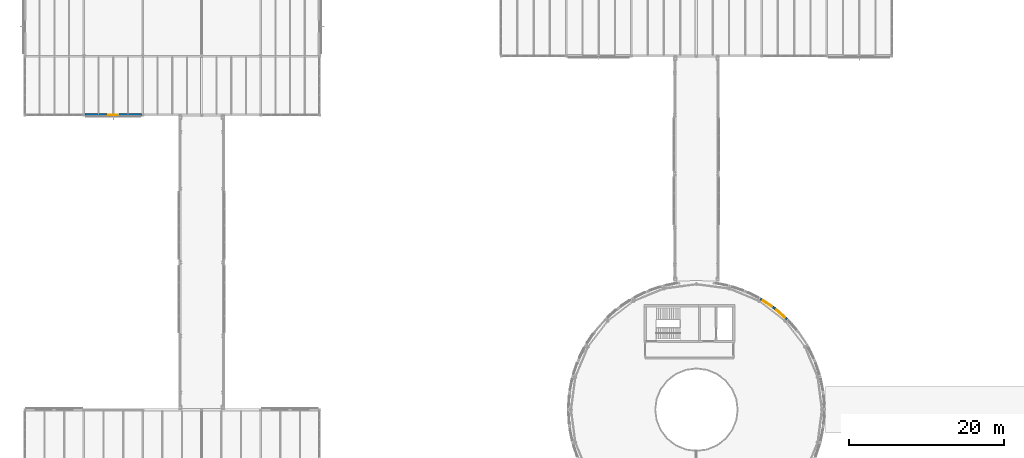
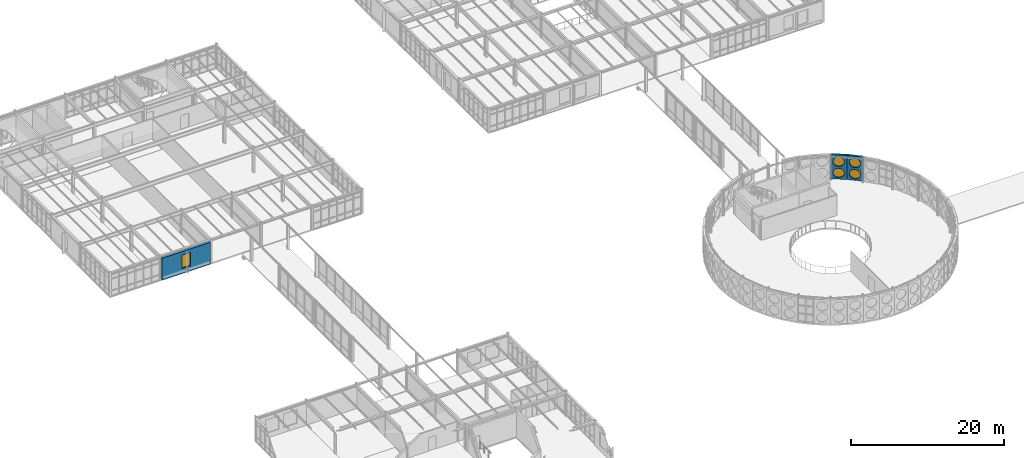
# One storey, part 162 of 189: 5 windows, 3 walls, 5 openings.
"""IFC4 building model written with IfcOpenShell, lengths in metres."""

from ifc_helpers import new_model, si_unit, direction, frame, frame_2d, origin, place, context, subcontext, project, spatial, rectangle, circle, extrude, material, layer, layer_set, type_object, element, fill, save


model = new_model("IFC4")

# Units and contexts
model_context = context("Model", 3, precision=1e-05, world=origin(), true_north=direction((0.0, 1.0)))
body_context = subcontext(model_context, "Body", "Model", "MODEL_VIEW")
ifc_project = project(units=[si_unit("LENGTHUNIT", "METRE"), si_unit("AREAUNIT", "SQUARE_METRE"), si_unit("VOLUMEUNIT", "CUBIC_METRE"), si_unit("PLANEANGLEUNIT", "RADIAN"), si_unit("MASSUNIT", "GRAM", prefix="KILO")], contexts=[model_context])

# Site, building, storey
site_placement = place(None, origin())
site = spatial("IfcSite", under=ifc_project, at=site_placement, CompositionType="ELEMENT")
building_placement = place(site_placement, origin())
building = spatial("IfcBuilding", under=site, at=building_placement, Name="Montecoro Central Library", CompositionType="ELEMENT")
storey_placement = place(building_placement, frame((0.0, 0.0, 9.179931640625)))
storey = spatial("IfcBuildingStorey", under=building, at=storey_placement, Name="L02", CompositionType="ELEMENT", Elevation=9.179931640625)

# Wall, openings, windows
ifc_material_1 = material(Name="Travertine Roman Stone and concrete C35/45", Category="masonry")
ifc_layer_1 = layer(ifc_material_1, 0.294921875)
ifc_layer_set_1 = layer_set([ifc_layer_1], Name="Travertine Roman Stone and concrete C35/45")
wall_type_1 = type_object("IfcWallType", Name="EW-DRM-295", PredefinedType="SOLIDWALL", material=ifc_layer_set_1)
wall_1_placement = place(storey_placement, frame((103.27490234375, 47.0859375, 0.0), z_axis=(0.0, 0.0, 1.0), x_axis=(-0.751489776362, 0.659744735503, 0.0)))
wall_1 = element("IfcWall", 1, at=wall_1_placement, inside=storey, type_object=wall_type_1, Name="V1-L02-EW-07", PredefinedType="SOLIDWALL", context=body_context, shape_type="SweptSolid", body=[
    extrude(rectangle(XDim=2.144775390625, YDim=0.294921875, at=frame_2d((1.072265625, 0.0))), origin(), (0.0, 0.0, 1.0), 3.85498046875),
])
opening_1_placement = place(wall_1_placement, frame((0.33203125, 0.0, 0.25)))
opening_1 = element("IfcOpeningElement", 2, at=opening_1_placement, cuts=wall_1, Name="Opening WP-04", PredefinedType="OPENING", context=body_context, shape_type="SweptSolid", body=[
    extrude(circle(Radius=0.739990234375, at=frame_2d((0.739990234375, 0.739990234375))), frame((0.0, 0.157470703125, 0.0), z_axis=(0.0, -1.0, 0.0), x_axis=(1.0, 0.0, 0.0)), (0.0, 0.0, 1.0), 0.31494140625),
])
opening_2_placement = place(wall_1_placement, frame((0.33203125, 0.0, 2.030029296875)))
opening_2 = element("IfcOpeningElement", 3, at=opening_2_placement, cuts=wall_1, Name="Opening WP-03", PredefinedType="OPENING", context=body_context, shape_type="SweptSolid", body=[
    extrude(circle(Radius=0.739990234375, at=frame_2d((0.739990234375, 0.739990234375))), frame((0.0, 0.157470703125, 0.0), z_axis=(0.0, -1.0, 0.0), x_axis=(1.0, 0.0, 0.0)), (0.0, 0.0, 1.0), 0.31494140625),
])
ifc_material_2 = material(Name="Clear sky-blue low-E laminated glazing", Category="glass")
window_type_1 = type_object("IfcWindowType", Name="WN-POR-CLR-148", PartitioningType="SINGLE_PANEL", PredefinedType="WINDOW", material=ifc_material_2)
window_1_placement = place(opening_2_placement, origin())
window_1 = element("IfcWindow", 4, at=window_1_placement, inside=storey, type_object=window_type_1, Name="V1-L02-WP-07-2", OverallHeight=1.47998046875, OverallWidth=1.47998046875, PartitioningType="SINGLE_PANEL", PredefinedType="WINDOW", context=body_context, shape_type="SweptSolid", body=[
    extrude(circle(Radius=0.739990234375, at=frame_2d((0.739990234375, 0.739990234375))), frame((0.0, 0.030029296875, 0.0), z_axis=(0.0, -1.0, 0.0), x_axis=(1.0, 0.0, 0.0)), (0.0, 0.0, 1.0), 0.06005859375),
])
fill(opening_2, window_1)
ifc_material_3 = material(Name="Frosted pearl-white ceramic-fritted glazing", Category="glass")
window_type_2 = type_object("IfcWindowType", Name="WN-POR-FRT-148", PartitioningType="SINGLE_PANEL", PredefinedType="WINDOW", material=ifc_material_3)
window_2_placement = place(opening_1_placement, origin())
window_2 = element("IfcWindow", 5, at=window_2_placement, inside=storey, type_object=window_type_2, Name="V1-L02-WP-07-1", OverallHeight=1.47998046875, OverallWidth=1.47998046875, PartitioningType="SINGLE_PANEL", PredefinedType="WINDOW", context=body_context, shape_type="SweptSolid", body=[
    extrude(circle(Radius=0.739990234375, at=frame_2d((0.739990234375, 0.739990234375))), frame((0.0, 0.030029296875, 0.0), z_axis=(0.0, -1.0, 0.0), x_axis=(1.0, 0.0, 0.0)), (0.0, 0.0, 1.0), 0.06005859375),
])
fill(opening_1, window_2)

wall_2_placement = place(storey_placement, frame((101.64990234375, 48.510009765625, 0.0), z_axis=(0.0, 0.0, 1.0), x_axis=(-0.831138710759, 0.556065143197, 0.0)))
wall_2 = element("IfcWall", 6, at=wall_2_placement, inside=storey, type_object=wall_type_1, Name="V1-L02-EW-08", PredefinedType="SOLIDWALL", context=body_context, shape_type="SweptSolid", body=[
    extrude(rectangle(XDim=2.145263671875, YDim=0.294921875, at=frame_2d((1.07275390625, 0.0))), origin(), (0.0, 0.0, 1.0), 3.85498046875),
])
opening_3_placement = place(wall_2_placement, frame((0.3330078125, 0.0, 0.25)))
opening_3 = element("IfcOpeningElement", 7, at=opening_3_placement, cuts=wall_2, Name="Opening WP-03", PredefinedType="OPENING", context=body_context, shape_type="SweptSolid", body=[
    extrude(circle(Radius=0.739990234375, at=frame_2d((0.739990234375, 0.739990234375))), frame((0.0, 0.157470703125, 0.0), z_axis=(0.0, -1.0, 0.0), x_axis=(1.0, 0.0, 0.0)), (0.0, 0.0, 1.0), 0.31494140625),
])
opening_4_placement = place(wall_2_placement, frame((0.3330078125, 0.0, 2.030029296875)))
opening_4 = element("IfcOpeningElement", 8, at=opening_4_placement, cuts=wall_2, Name="Opening WP-04", PredefinedType="OPENING", context=body_context, shape_type="SweptSolid", body=[
    extrude(circle(Radius=0.739990234375, at=frame_2d((0.739990234375, 0.739990234375))), frame((0.0, 0.157470703125, 0.0), z_axis=(0.0, -1.0, 0.0), x_axis=(1.0, 0.0, 0.0)), (0.0, 0.0, 1.0), 0.31494140625),
])
window_3_placement = place(opening_3_placement, origin())
window_3 = element("IfcWindow", 9, at=window_3_placement, inside=storey, type_object=window_type_1, Name="V1-L02-WP-08-1", OverallHeight=1.47998046875, OverallWidth=1.47998046875, PartitioningType="SINGLE_PANEL", PredefinedType="WINDOW", context=body_context, shape_type="SweptSolid", body=[
    extrude(circle(Radius=0.739990234375, at=frame_2d((0.739990234375, 0.739990234375))), frame((0.0, 0.030029296875, 0.0), z_axis=(0.0, -1.0, 0.0), x_axis=(1.0, 0.0, 0.0)), (0.0, 0.0, 1.0), 0.06005859375),
])
fill(opening_3, window_3)
window_4_placement = place(opening_4_placement, origin())
window_4 = element("IfcWindow", 10, at=window_4_placement, inside=storey, type_object=window_type_2, Name="V1-L02-WP-08-2", OverallHeight=1.47998046875, OverallWidth=1.47998046875, PartitioningType="SINGLE_PANEL", PredefinedType="WINDOW", context=body_context, shape_type="SweptSolid", body=[
    extrude(circle(Radius=0.739990234375, at=frame_2d((0.739990234375, 0.739990234375))), frame((0.0, 0.030029296875, 0.0), z_axis=(0.0, -1.0, 0.0), x_axis=(1.0, 0.0, 0.0)), (0.0, 0.0, 1.0), 0.06005859375),
])
fill(opening_4, window_4)

# Wall, opening, window
ifc_material_4 = material(Name="Roman travertine stone clad concrete C35/45", Category="masonry")
ifc_layer_2 = layer(ifc_material_4, 0.344970703125)
ifc_layer_set_2 = layer_set([ifc_layer_2], Name="Roman travertine stone clad concrete C35/45")
wall_type_2 = type_object("IfcWallType", Name="EW-TRV-345", PredefinedType="SOLIDWALL", material=ifc_layer_set_2)
wall_3_placement = place(storey_placement, frame((12.73291015625, 73.39990234375, 0.0), z_axis=(0.0, 0.0, 1.0), x_axis=(1.0, 0.0, 0.0)))
wall_3 = element("IfcWall", 11, at=wall_3_placement, inside=storey, type_object=wall_type_2, Name="V4-L02-EW-S1", PredefinedType="SOLIDWALL", context=body_context, shape_type="SweptSolid", body=[
    extrude(rectangle(XDim=7.333984375, YDim=0.344970703125, at=frame_2d((3.6669921875, 0.0))), origin(), (0.0, 0.0, 1.0), 3.47998046875),
])
opening_5_placement = place(wall_3_placement, frame((3.01708984375, 0.0, 0.800048828125)))
opening_5 = element("IfcOpeningElement", 12, at=opening_5_placement, cuts=wall_3, Name="Opening WN-15", PredefinedType="OPENING", context=body_context, shape_type="SweptSolid", body=[
    extrude(rectangle(XDim=1.300048828125, YDim=2.1201171875, at=frame_2d((0.64990234375, 1.06005859375))), frame((0.0, 0.182373046875, 0.0), z_axis=(0.0, -1.0, 0.0), x_axis=(1.0, 0.0, 0.0)), (0.0, 0.0, 1.0), 0.364990234375),
])
ifc_material_5 = material(Name="Acoustic laminated double glazing", Category="glass")
window_type_3 = type_object("IfcWindowType", Name="WN-AUD-130", PartitioningType="SINGLE_PANEL", PredefinedType="WINDOW", material=ifc_material_5)
window_5_placement = place(opening_5_placement, origin())
window_5 = element("IfcWindow", 13, at=window_5_placement, inside=storey, type_object=window_type_3, Name="V4-L02-WN-S1-1", OverallHeight=2.1201171875, OverallWidth=1.300048828125, PartitioningType="SINGLE_PANEL", PredefinedType="WINDOW", context=body_context, shape_type="SweptSolid", body=[
    extrude(rectangle(XDim=1.300048828125, YDim=2.1201171875, at=frame_2d((0.64990234375, 1.06005859375))), frame((0.0, 0.030029296875, 0.0), z_axis=(0.0, -1.0, 0.0), x_axis=(1.0, 0.0, 0.0)), (0.0, 0.0, 1.0), 0.06005859375),
])
fill(opening_5, window_5)

save(model, "model.ifc")
